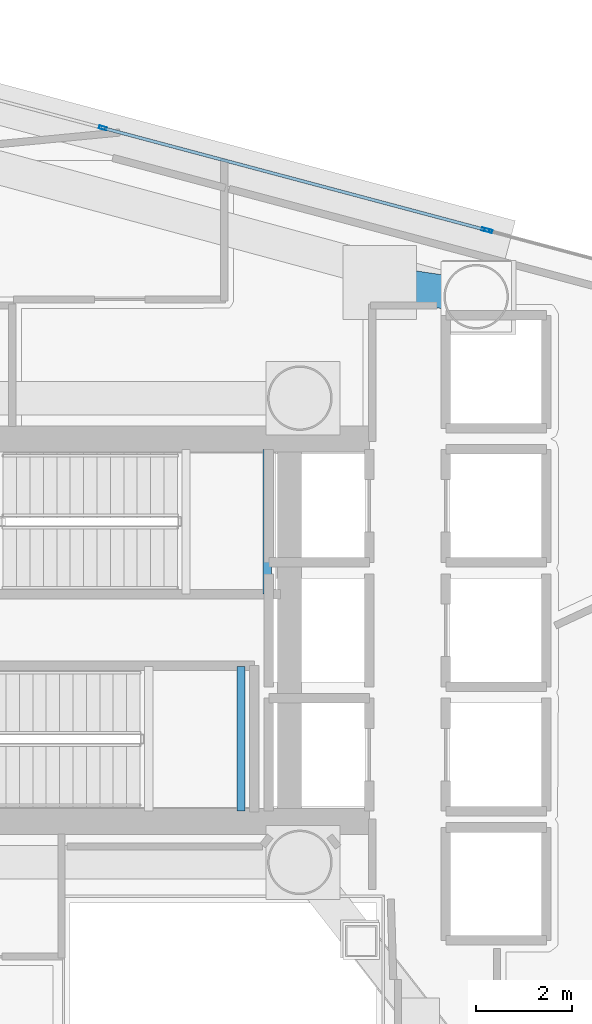
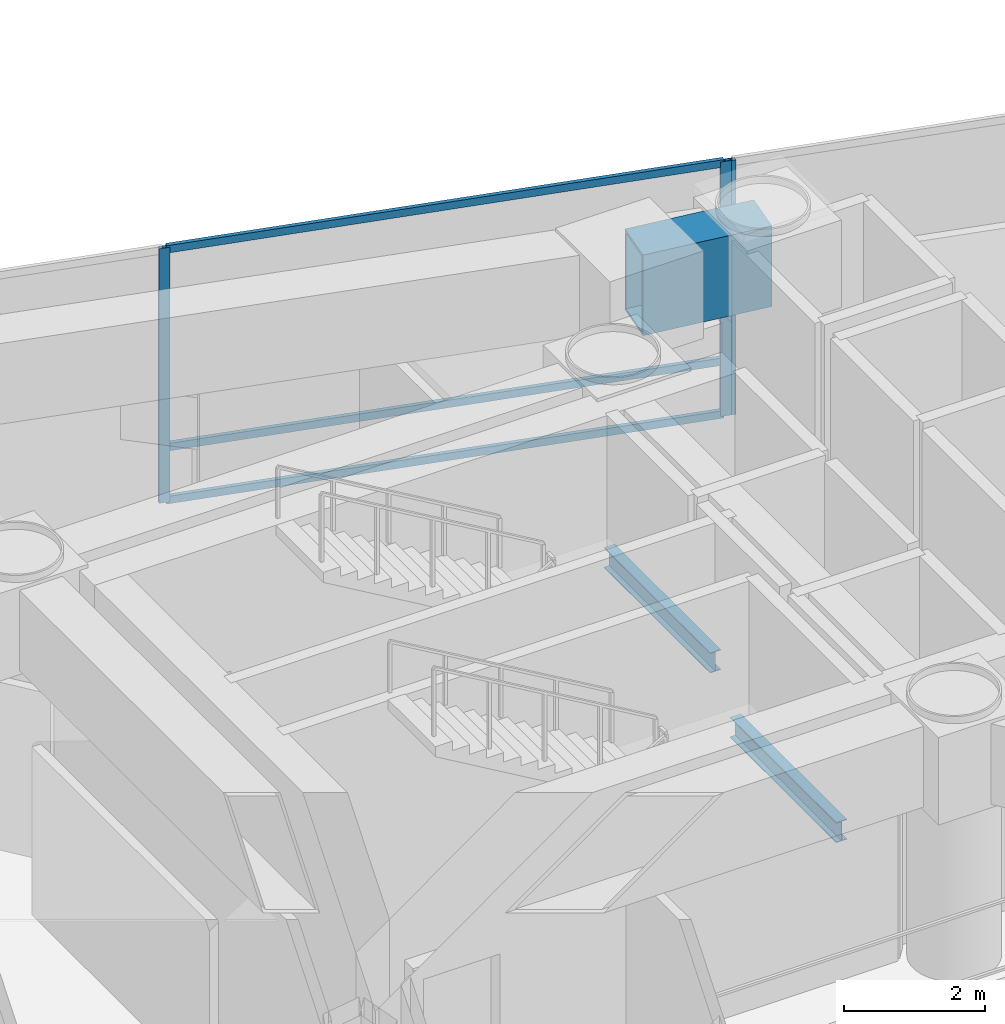
# One storey, part 12 of 22: 6 members, 3 beams, 2 elements without a shape of their own.
"""IFC4 building model written with IfcOpenShell, lengths in metres."""

from ifc_helpers import new_model, si_unit, direction, frame, origin, origin_2d, place, context, subcontext, project, spatial, hollow_rectangle, i_section, extrude, material, layer, layer_set, material_profile, profile_set, type_object, element, aggregate, save


model = new_model("IFC4")

# Units and contexts
model_context = context("Model", 3, precision=1e-05, world=origin(), true_north=direction((0.0, 1.0)))
body_context = subcontext(model_context, "Body", "Model", "MODEL_VIEW")
ifc_project = project(units=[si_unit("LENGTHUNIT", "METRE"), si_unit("AREAUNIT", "SQUARE_METRE"), si_unit("VOLUMEUNIT", "CUBIC_METRE"), si_unit("PLANEANGLEUNIT", "RADIAN"), si_unit("MASSUNIT", "GRAM", prefix="KILO")], contexts=[model_context])

# Site, building, storey
site_placement = place(None, origin())
site = spatial("IfcSite", under=ifc_project, at=site_placement, CompositionType="ELEMENT")
building_placement = place(site_placement, origin())
building = spatial("IfcBuilding", under=site, at=building_placement, Name="Qianvela Tower", CompositionType="ELEMENT")
storey_placement = place(building_placement, frame((0.0, 0.0, 184.60009765625)))
storey = spatial("IfcBuildingStorey", under=building, at=storey_placement, Name="L47", CompositionType="ELEMENT", Elevation=184.60009765625)

# Beams
ifc_material_1 = material(Name="Steel Q355B", Category="steel")
ifc_material_profile_1 = material_profile(ifc_material_1, i_section(OverallWidth=0.175048828125, OverallDepth=0.35009765625, WebThickness=0.007080078125, FlangeThickness=0.010986328125, at=origin_2d()), Name="HN350x175x7x11")
ifc_profile_set_1 = profile_set([ifc_material_profile_1], Name="Steel Q355B")
beam_type_1 = type_object("IfcBeamType", Name="BM-HN350-JOIST", PredefinedType="JOIST", material=ifc_profile_set_1)
for number, where, z_axis, x_axis, name in (
    (1, (37.719970703125, 29.4599609375, 1.9248046875), (0.0, 1.0, 0.0), (-1.0, 0.0, 0.0), "L47 Stair ST-1 Landing Support Beam 1.2"),
    (2, (37.169921875, 24.919921875, 1.9248046875), (0.0, 1.0, 0.0), (-1.0, 0.0, 0.0), "L47 Stair ST-2 Landing Support Beam 1.2"),
):
    element("IfcBeam", number, at=place(storey_placement, frame(where, z_axis=z_axis, x_axis=x_axis)), inside=storey, type_object=beam_type_1, Name=name, PredefinedType="JOIST", context=body_context, shape_type="SweptSolid", body=[
        extrude(i_section(OverallWidth=0.175048828125, OverallDepth=0.35009765625, WebThickness=0.007080078125, FlangeThickness=0.010986328125, at=origin_2d()), origin(), (0.0, 0.0, 1.0), 3.02001953125),
    ])
ifc_material_2 = material(Name="Steel Q420GJC", Category="steel")
ifc_material_profile_2 = material_profile(ifc_material_2, hollow_rectangle(XDim=0.699951171875, YDim=1.39990234375, WallThickness=0.0400390625, at=origin_2d()), Name="TG-BOX-1400x700x40")
ifc_profile_set_2 = profile_set([ifc_material_profile_2], Name="Steel Q420GJC")
beam_type_2 = type_object("IfcBeamType", Name="BM-TG-STEP-1400", PredefinedType="BEAM", material=ifc_profile_set_2)
beam_placement = place(storey_placement, frame((42.0830078125, 35.6689453125, 3.718017578125), z_axis=(-0.989211432676, 0.146494851318, 0.0), x_axis=(-0.146494851318, -0.989211432676, 0.0)))
element("IfcBeam", 3, at=beam_placement, inside=storey, type_object=beam_type_2, Name="L47 Zone-Step Transfer Girder 2", PredefinedType="BEAM", context=body_context, shape_type="SweptSolid", body=[
    extrude(hollow_rectangle(XDim=0.699951171875, YDim=1.39990234375, WallThickness=0.0400390625, at=origin_2d()), origin(), (0.0, 0.0, 1.0), 1.97314453125),
])

# Curtain wall, members
ifc_material_3 = material(Name="Anodised Architectural Aluminium and Insulated Spandrel Panel", Category="aluminium")
ifc_layer_1 = layer(ifc_material_3, 0.179931640625)
ifc_layer_set_1 = layer_set([ifc_layer_1], Name="Anodised Architectural Aluminium and Insulated Spandrel Panel")
curtain_wall_type_1 = type_object("IfcCurtainWallType", Name="CW-BRACEBAY", PredefinedType="USERDEFINED", material=ifc_layer_set_1)
curtain_wall_1_placement = place(storey_placement, origin())
curtain_wall_1 = element("IfcCurtainWall", 4, at=curtain_wall_1_placement, inside=storey, type_object=curtain_wall_type_1, Name="L47 CW-BRACEBAY Curtain Wall 02B", ObjectType="CURTAIN_WALL_SYSTEM", PredefinedType="USERDEFINED")
ifc_material_4 = material(Name="Anodised Architectural Aluminium 6063-T6", Category="aluminium")
ifc_material_profile_3 = material_profile(ifc_material_4, hollow_rectangle(XDim=0.06494140625, YDim=0.159912109375, WallThickness=0.0048828125, at=origin_2d()), Name="ALU-MULL-65x160")
ifc_profile_set_3 = profile_set([ifc_material_profile_3], Name="Anodised Architectural Aluminium 6063-T6")
member_type_1 = type_object("IfcMemberType", Name="CW-BRACEBAY-MULL", PredefinedType="MULLION", material=ifc_profile_set_3)
member_1_placement = place(storey_placement, frame((42.276611328125, 37.06591796875, 0.0), z_axis=(0.0, 0.0, 1.0), x_axis=(-0.257350857335, -0.966318030582, 0.0)))
member_1 = element("IfcMember", 5, at=member_1_placement, type_object=member_type_1, Name="CW-9 mullion 1", PredefinedType="MULLION", context=body_context, shape_type="SweptSolid", body=[
    extrude(hollow_rectangle(XDim=0.06494140625, YDim=0.159912109375, WallThickness=0.0048828125, at=origin_2d()), origin(), (0.0, 0.0, 1.0), 4.419921875),
])
member_2_placement = place(storey_placement, frame((34.283203125, 39.19482421875, 0.0), z_axis=(0.0, 0.0, 1.0), x_axis=(-0.257350857335, -0.966318030582, 0.0)))
member_2 = element("IfcMember", 6, at=member_2_placement, type_object=member_type_1, Name="CW-9 mullion 2", PredefinedType="MULLION", context=body_context, shape_type="SweptSolid", body=[
    extrude(hollow_rectangle(XDim=0.06494140625, YDim=0.159912109375, WallThickness=0.0048828125, at=origin_2d()), origin(), (0.0, 0.0, 1.0), 4.419921875),
])
ifc_material_5 = material(Name="Anodised Architectural Aluminium 6063-T6", Category="aluminium")
ifc_material_profile_4 = material_profile(ifc_material_5, hollow_rectangle(XDim=0.06494140625, YDim=0.1298828125, WallThickness=0.00439453125, at=origin_2d()), Name="ALU-TRAN-65x130")
ifc_profile_set_4 = profile_set([ifc_material_profile_4], Name="Anodised Architectural Aluminium 6063-T6")
member_type_2 = type_object("IfcMemberType", Name="CW-BRACEBAY-TRAN", PredefinedType="USERDEFINED", material=ifc_profile_set_4)
member_3_placement = place(storey_placement, frame((42.245361328125, 37.07421875, 0.032470703125), z_axis=(-0.966311918536, 0.257373806156, 0.0), x_axis=(-0.257373806156, -0.966311918536, 0.0)))
member_3 = element("IfcMember", 7, at=member_3_placement, type_object=member_type_2, Name="CW-9 transom 1.1", ObjectType="TRANSOM", PredefinedType="USERDEFINED", context=body_context, shape_type="SweptSolid", body=[
    extrude(hollow_rectangle(XDim=0.06494140625, YDim=0.1298828125, WallThickness=0.00439453125, at=origin_2d()), origin(), (0.0, 0.0, 1.0), 8.20703125),
])
member_4_placement = place(storey_placement, frame((42.245361328125, 37.07421875, 0.949951171875), z_axis=(-0.966311918536, 0.257373806156, 0.0), x_axis=(-0.257373806156, -0.966311918536, 0.0)))
member_4 = element("IfcMember", 8, at=member_4_placement, type_object=member_type_2, Name="CW-9 transom 1.2", ObjectType="TRANSOM", PredefinedType="USERDEFINED", context=body_context, shape_type="SweptSolid", body=[
    extrude(hollow_rectangle(XDim=0.06494140625, YDim=0.1298828125, WallThickness=0.00439453125, at=origin_2d()), origin(), (0.0, 0.0, 1.0), 8.20703125),
])
member_5_placement = place(storey_placement, frame((42.245361328125, 37.07421875, 4.387451171875), z_axis=(-0.966311918536, 0.257373806156, 0.0), x_axis=(-0.257373806156, -0.966311918536, 0.0)))
member_5 = element("IfcMember", 9, at=member_5_placement, type_object=member_type_2, Name="CW-9 transom 1.3", ObjectType="TRANSOM", PredefinedType="USERDEFINED", context=body_context, shape_type="SweptSolid", body=[
    extrude(hollow_rectangle(XDim=0.06494140625, YDim=0.1298828125, WallThickness=0.00439453125, at=origin_2d()), origin(), (0.0, 0.0, 1.0), 8.20703125),
])
aggregate(curtain_wall_1, [member_1, member_2, member_3, member_4, member_5])

# Curtain wall, member
ifc_material_6 = material(Name="Anodised Architectural Aluminium and Low-E Glass", Category="aluminium")
ifc_layer_2 = layer(ifc_material_6, 0.169921875)
ifc_layer_set_2 = layer_set([ifc_layer_2], Name="Anodised Architectural Aluminium and Low-E Glass")
curtain_wall_type_2 = type_object("IfcCurtainWallType", Name="CW-COLIV-Z34", PredefinedType="USERDEFINED", material=ifc_layer_set_2)
curtain_wall_2_placement = place(storey_placement, origin())
curtain_wall_2 = element("IfcCurtainWall", 10, at=curtain_wall_2_placement, inside=storey, type_object=curtain_wall_type_2, Name="L47 CW-COLIV-Z34 Curtain Wall 02A", ObjectType="CURTAIN_WALL_SYSTEM", PredefinedType="USERDEFINED")
ifc_material_7 = material(Name="Anodised Architectural Aluminium 6063-T6", Category="aluminium")
ifc_material_profile_5 = material_profile(ifc_material_7, hollow_rectangle(XDim=0.06494140625, YDim=0.159912109375, WallThickness=0.0048828125, at=origin_2d()), Name="ALU-MULL-65x160")
ifc_profile_set_5 = profile_set([ifc_material_profile_5], Name="Anodised Architectural Aluminium 6063-T6")
member_type_3 = type_object("IfcMemberType", Name="CW-COLIV-Z34-MULL", PredefinedType="MULLION", material=ifc_profile_set_5)
member_6_placement = place(storey_placement, frame((42.339599609375, 37.04931640625, 0.0), z_axis=(0.0, 0.0, 1.0), x_axis=(-0.257350339516, -0.966318168489, 0.0)))
member_6 = element("IfcMember", 11, at=member_6_placement, type_object=member_type_3, Name="CW-4 mullion 3", PredefinedType="MULLION", context=body_context, shape_type="SweptSolid", body=[
    extrude(hollow_rectangle(XDim=0.06494140625, YDim=0.159912109375, WallThickness=0.0048828125, at=origin_2d()), origin(), (0.0, 0.0, 1.0), 4.419921875),
])
aggregate(curtain_wall_2, [member_6])

save(model, "model.ifc")
